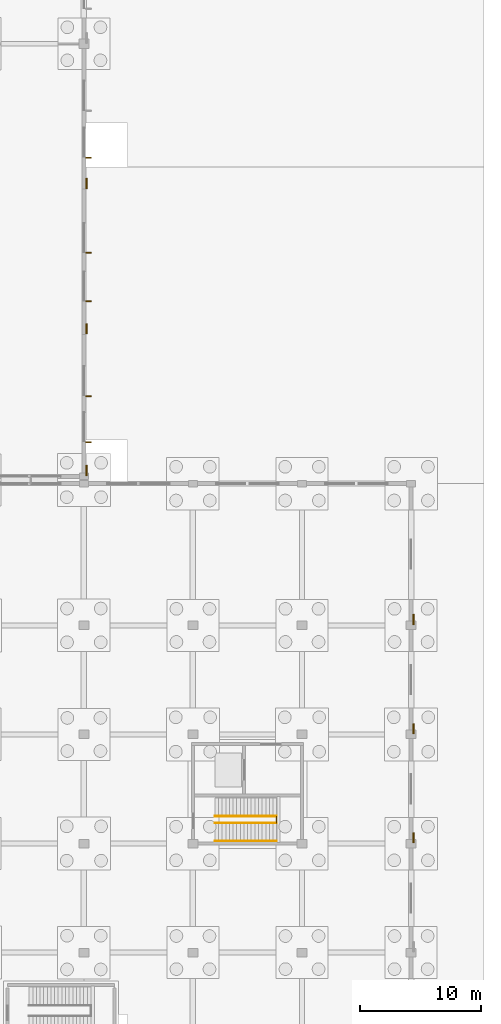
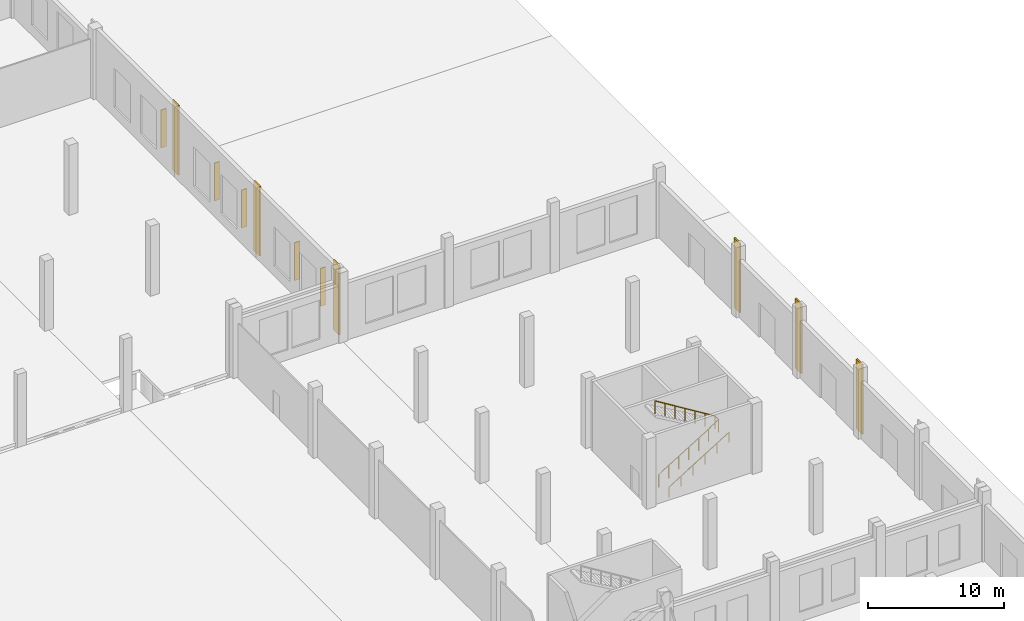
# One storey, part 94 of 99: 6 coverings, 5 shading devices, 4 railings.
"""IFC4 building model written with IfcOpenShell, lengths in metres."""

from ifc_helpers import new_model, si_unit, direction, frame, origin, origin_2d, place, context, subcontext, project, spatial, rectangle, circle, extrude, material, layer, layer_set, type_object, element, save


model = new_model("IFC4")

# Units and contexts
model_context = context("Model", 3, precision=1e-05, world=origin(), true_north=direction((0.0, 1.0)))
body_context = subcontext(model_context, "Body", "Model", "MODEL_VIEW")
ifc_project = project(units=[si_unit("LENGTHUNIT", "METRE"), si_unit("AREAUNIT", "SQUARE_METRE"), si_unit("VOLUMEUNIT", "CUBIC_METRE"), si_unit("PLANEANGLEUNIT", "RADIAN"), si_unit("MASSUNIT", "GRAM", prefix="KILO")], contexts=[model_context])

# Site, building, storey
site_placement = place(None, origin())
site = spatial("IfcSite", under=ifc_project, at=site_placement, CompositionType="ELEMENT")
building_placement = place(site_placement, origin())
building = spatial("IfcBuilding", under=site, at=building_placement, Name="Zacnel Wholesale Market", CompositionType="ELEMENT")
storey_placement = place(building_placement, origin())
storey = spatial("IfcBuildingStorey", under=building, at=storey_placement, Name="L01", CompositionType="ELEMENT", Elevation=0.0)

# Coverings
ifc_material_1 = material(Name="Honed Yucatan Maya cream limestone", Category="masonry")
ifc_layer = layer(ifc_material_1, 0.090087890625)
ifc_layer_set = layer_set([ifc_layer], Name="Honed Yucatan Maya cream limestone")
covering_type = type_object("IfcCoveringType", Name="COV-CLAD-FRET", PredefinedType="CLADDING", material=ifc_layer_set)
for number, where, z_axis, x_axis, name in (
    (1, (189.2099609375, 96.780029296875, 0.02001953125), (0.0, 0.0, 1.0), (0.0, 1.0, 0.0), "Fluted Mayan-Deco limestone pilaster L01-0075"),
    (2, (189.2099609375, 108.47998046875, 0.02001953125), (0.0, 0.0, 1.0), (0.0, 1.0, 0.0), "Fluted Mayan-Deco limestone pilaster L01-0076"),
    (3, (189.2099609375, 120.47998046875, 0.02001953125), (0.0, 0.0, 1.0), (0.0, 1.0, 0.0), "Fluted Mayan-Deco limestone pilaster L01-0077"),
    (4, (216.2099609375, 66.47998046875, 0.02001953125), (0.0, 0.0, 1.0), (0.0, 1.0, 0.0), "Fluted Mayan-Deco limestone pilaster L01-0081"),
    (5, (216.2099609375, 75.47998046875, 0.02001953125), (0.0, 0.0, 1.0), (0.0, 1.0, 0.0), "Fluted Mayan-Deco limestone pilaster L01-0082"),
    (6, (216.2099609375, 84.47998046875, 0.02001953125), (0.0, 0.0, 1.0), (0.0, 1.0, 0.0), "Fluted Mayan-Deco limestone pilaster L01-0083"),
):
    element("IfcCovering", number, at=place(storey_placement, frame(where, z_axis=z_axis, x_axis=x_axis)), inside=storey, type_object=covering_type, Name=name, PredefinedType="CLADDING", context=body_context, shape_type="SweptSolid", body=[
        extrude(rectangle(XDim=0.85009765625, YDim=0.1201171875, at=origin_2d()), origin(), (0.0, 0.0, 1.0), 6.260009765625),
    ])

# Railings
ifc_material_2 = material(Name="Galvanized steel", Category="steel")
railing_type_1 = type_object("IfcRailingType", Name="RAL-HANDRAIL-920", PredefinedType="HANDRAIL", material=ifc_material_2)
railing_1_placement = place(storey_placement, frame((199.81005859375, 66.2099609375, 0.0)))
element("IfcRailing", 7, at=railing_1_placement, inside=storey, type_object=railing_type_1, Name="Stair ST-15 wall handrail", PredefinedType="HANDRAIL", context=body_context, shape_type="SweptSolid", body=[
    extrude(circle(Radius=0.02099609375, at=origin_2d()), frame((0.0, 0.0, 0.89892578125), z_axis=(0.850798532938, 0.0, 0.525492013594), x_axis=(0.0, 1.0, 0.0)), (0.0, 0.0, 1.0), 5.994140625),
    extrude(circle(Radius=0.01806640625, at=origin_2d()), origin(), (0.0, 0.0, 1.0), 0.8779296875),
    extrude(circle(Radius=0.01806640625, at=origin_2d()), frame((1.02001953125, 0.0, 0.6298828125)), (0.0, 0.0, 1.0), 0.8779296875),
    extrude(circle(Radius=0.01806640625, at=origin_2d()), frame((2.0400390625, 0.0, 1.260009765625)), (0.0, 0.0, 1.0), 0.8779296875),
    extrude(circle(Radius=0.01806640625, at=origin_2d()), frame((3.059814453125, 0.0, 1.889892578125)), (0.0, 0.0, 1.0), 0.8779296875),
    extrude(circle(Radius=0.01806640625, at=origin_2d()), frame((4.079833984375, 0.0, 2.52001953125)), (0.0, 0.0, 1.0), 0.8779296875),
    extrude(circle(Radius=0.01806640625, at=origin_2d()), frame((5.099853515625, 0.0, 3.14990234375)), (0.0, 0.0, 1.0), 0.8779296875),
])
ifc_material_3 = material(Name="Galvanized steel", Category="steel")
railing_type_2 = type_object("IfcRailingType", Name="RAL-STAIR-GD1150", PredefinedType="BALUSTRADE", material=ifc_material_3)
railing_2_placement = place(storey_placement, frame((199.81005859375, 67.699951171875, 0.0)))
element("IfcRailing", 8, at=railing_2_placement, inside=storey, type_object=railing_type_2, Name="Stair balustrade INT-STAIR-ST-15-GDIN-1", PredefinedType="BALUSTRADE", context=body_context, shape_type="SweptSolid", body=[
    extrude(circle(Radius=0.02392578125, at=origin_2d()), frame((0.0, 0.0, 1.1259765625), z_axis=(0.850798532938, 0.0, 0.525492013594), x_axis=(0.0, 1.0, 0.0)), (0.0, 0.0, 1.0), 5.994140625),
    extrude(circle(Radius=0.02099609375, at=origin_2d()), origin(), (0.0, 0.0, 1.0), 1.101806640625),
    extrude(circle(Radius=0.02099609375, at=origin_2d()), frame((0.85009765625, 0.0, 0.52490234375)), (0.0, 0.0, 1.0), 1.101806640625),
    extrude(circle(Radius=0.02099609375, at=origin_2d()), frame((1.699951171875, 0.0, 1.050048828125)), (0.0, 0.0, 1.0), 1.101806640625),
    extrude(circle(Radius=0.02099609375, at=origin_2d()), frame((2.5498046875, 0.0, 1.574951171875)), (0.0, 0.0, 1.0), 1.101806640625),
    extrude(circle(Radius=0.02099609375, at=origin_2d()), frame((3.39990234375, 0.0, 2.099853515625)), (0.0, 0.0, 1.0), 1.101806640625),
    extrude(circle(Radius=0.02099609375, at=origin_2d()), frame((4.25, 0.0, 2.625)), (0.0, 0.0, 1.0), 1.101806640625),
    extrude(circle(Radius=0.02099609375, at=origin_2d()), frame((5.099853515625, 0.0, 3.14990234375)), (0.0, 0.0, 1.0), 1.101806640625),
])
railing_3_placement = place(storey_placement, frame((204.909912109375, 67.699951171875, 3.14990234375)))
element("IfcRailing", 9, at=railing_3_placement, inside=storey, type_object=railing_type_2, Name="Stair balustrade INT-STAIR-ST-15-GDIN-2", PredefinedType="BALUSTRADE", context=body_context, shape_type="SweptSolid", body=[
    extrude(circle(Radius=0.02392578125, at=origin_2d()), frame((0.0, 0.0, 1.1259765625), z_axis=(0.0, 1.0, 0.0), x_axis=(-1.0, 0.0, 0.0)), (0.0, 0.0, 1.0), 0.550048828125),
    extrude(circle(Radius=0.02099609375, at=origin_2d()), origin(), (0.0, 0.0, 1.0), 1.101806640625),
    extrude(circle(Radius=0.02099609375, at=origin_2d()), frame((0.0, 0.550048828125, 0.0)), (0.0, 0.0, 1.0), 1.101806640625),
])
railing_4_placement = place(storey_placement, frame((204.909912109375, 68.25, 3.14990234375)))
element("IfcRailing", 10, at=railing_4_placement, inside=storey, type_object=railing_type_2, Name="Stair balustrade INT-STAIR-ST-15-GDIN-3", PredefinedType="BALUSTRADE", context=body_context, shape_type="SweptSolid", body=[
    extrude(circle(Radius=0.02392578125, at=origin_2d()), frame((0.0, 0.0, 1.1259765625), z_axis=(-0.850780323153, 0.0, 0.525521495028), x_axis=(0.0, -1.0, 0.0)), (0.0, 0.0, 1.0), 5.994384765625),
    extrude(circle(Radius=0.02099609375, at=origin_2d()), origin(), (0.0, 0.0, 1.0), 1.101806640625),
    extrude(circle(Radius=0.02099609375, at=origin_2d()), frame((-0.85009765625, 0.0, 0.52490234375)), (0.0, 0.0, 1.0), 1.101806640625),
    extrude(circle(Radius=0.02099609375, at=origin_2d()), frame((-1.699951171875, 0.0, 1.050048828125)), (0.0, 0.0, 1.0), 1.101806640625),
    extrude(circle(Radius=0.02099609375, at=origin_2d()), frame((-2.5498046875, 0.0, 1.5751953125)), (0.0, 0.0, 1.0), 1.101806640625),
    extrude(circle(Radius=0.02099609375, at=origin_2d()), frame((-3.39990234375, 0.0, 2.10009765625)), (0.0, 0.0, 1.0), 1.101806640625),
    extrude(circle(Radius=0.02099609375, at=origin_2d()), frame((-4.25, 0.0, 2.625)), (0.0, 0.0, 1.0), 1.101806640625),
    extrude(circle(Radius=0.02099609375, at=origin_2d()), frame((-5.099853515625, 0.0, 3.150146484375)), (0.0, 0.0, 1.0), 1.101806640625),
])

# Shading devices
ifc_material_4 = material(Name="Honed Yucatan Maya cream limestone", Category="masonry")
shading_device_type = type_object("IfcShadingDeviceType", Name="SHD-FIN-V450", PredefinedType="USERDEFINED", material=ifc_material_4)
for number, where, z_axis, x_axis, name in (
    (11, (189.3798828125, 99.123046875, 0.949951171875), (0.0, 0.0, 1.0), (0.0, 1.0, 0.0), "Limestone sunshade fin 0089"),
    (12, (189.3798828125, 102.931884765625, 0.949951171875), (0.0, 0.0, 1.0), (0.0, 1.0, 0.0), "Limestone sunshade fin 0090"),
    (13, (189.3798828125, 110.739990234375, 0.949951171875), (0.0, 0.0, 1.0), (0.0, 1.0, 0.0), "Limestone sunshade fin 0091"),
    (14, (189.3798828125, 114.739990234375, 0.949951171875), (0.0, 0.0, 1.0), (0.0, 1.0, 0.0), "Limestone sunshade fin 0092"),
    (15, (189.3798828125, 122.60693359375, 0.949951171875), (0.0, 0.0, 1.0), (0.0, 1.0, 0.0), "Limestone sunshade fin 0093"),
):
    element("IfcShadingDevice", number, at=place(storey_placement, frame(where, z_axis=z_axis, x_axis=x_axis)), inside=storey, type_object=shading_device_type, Name=name, ObjectType="SUNSHADE", PredefinedType="USERDEFINED", context=body_context, shape_type="SweptSolid", body=[
        extrude(rectangle(XDim=0.080078125, YDim=0.43994140625, at=origin_2d()), origin(), (0.0, 0.0, 1.0), 3.39990234375),
    ])

save(model, "model.ifc")
